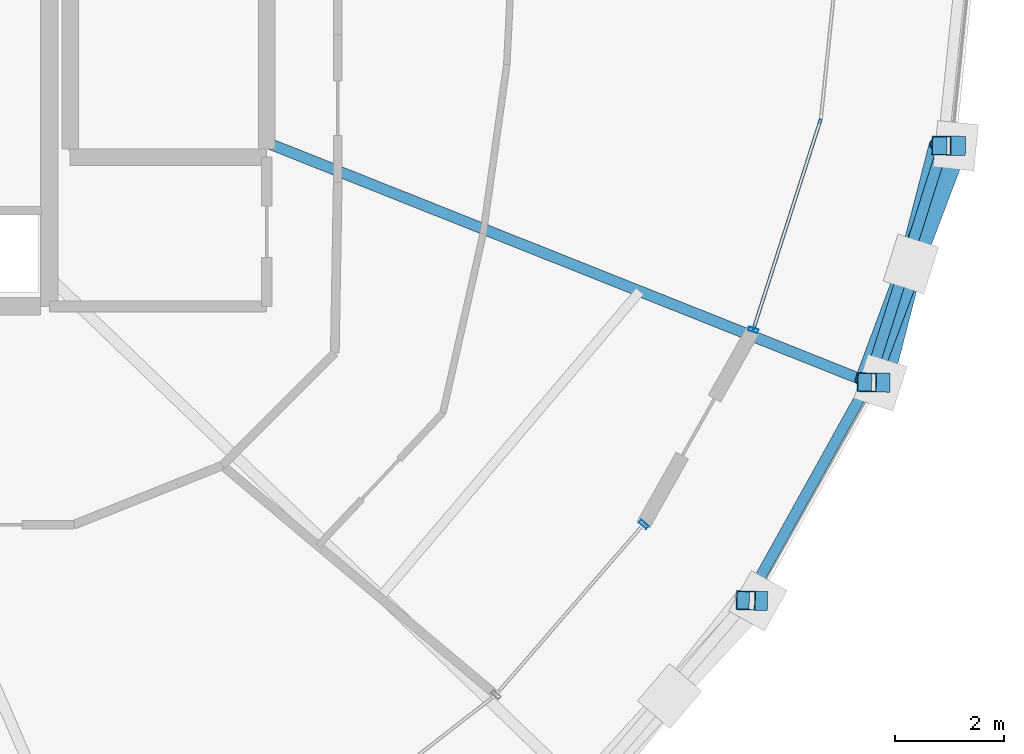
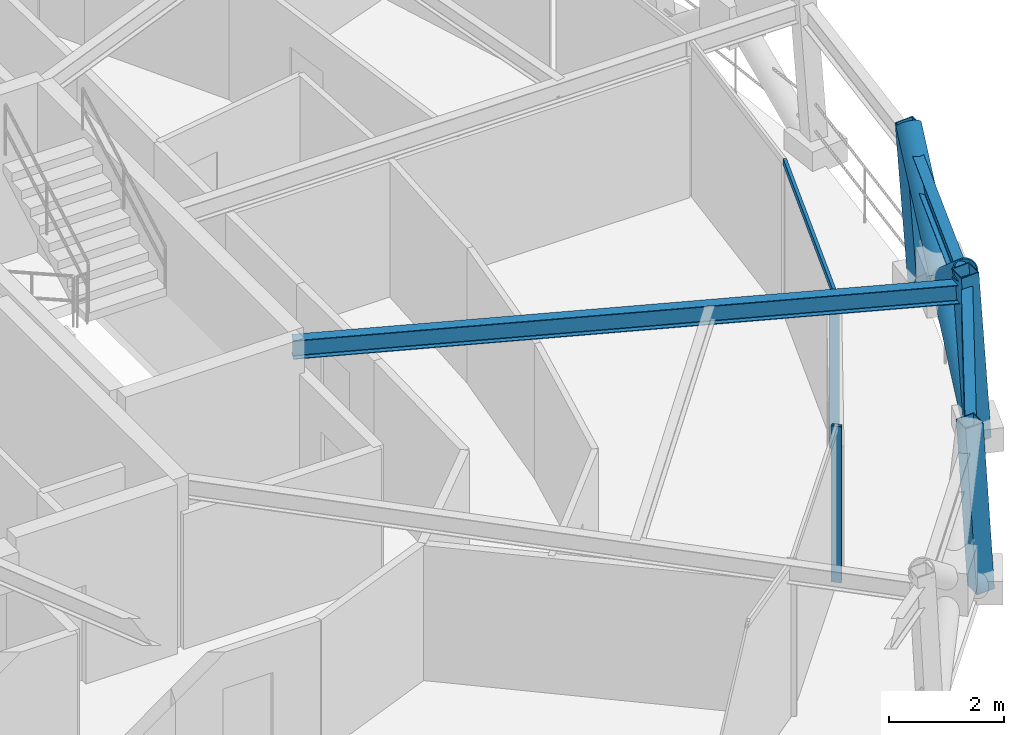
# One storey, part 6 of 18: 9 members, 3 beams, 2 elements without a shape of their own.
"""IFC4 building model written with IfcOpenShell, lengths in metres."""

from ifc_helpers import new_model, si_unit, direction, frame, origin, origin_2d, place, context, subcontext, project, spatial, hollow_rectangle, hollow_circle, i_section, extrude, material, layer, layer_set, material_profile, profile_set, type_object, element, aggregate, save


model = new_model("IFC4")

# Units and contexts
model_context = context("Model", 3, precision=1e-05, world=origin(), true_north=direction((0.0, 1.0)))
body_context = subcontext(model_context, "Body", "Model", "MODEL_VIEW")
ifc_project = project(units=[si_unit("LENGTHUNIT", "METRE"), si_unit("AREAUNIT", "SQUARE_METRE"), si_unit("VOLUMEUNIT", "CUBIC_METRE"), si_unit("PLANEANGLEUNIT", "RADIAN"), si_unit("MASSUNIT", "GRAM", prefix="KILO")], contexts=[model_context])

# Site, building, storey
site_placement = place(None, origin())
site = spatial("IfcSite", under=ifc_project, at=site_placement, CompositionType="ELEMENT")
building_placement = place(site_placement, origin())
building = spatial("IfcBuilding", under=site, at=building_placement, Name="Veldorina Hangang Commons", CompositionType="ELEMENT")
storey_placement = place(building_placement, frame((0.0, 0.0, 232.800048828125)))
storey = spatial("IfcBuildingStorey", under=building, at=storey_placement, Name="L60", CompositionType="ELEMENT", Elevation=232.800048828125)

# Beams
ifc_material_1 = material(Name="Steel SM355-TMC", Category="steel")
ifc_material_profile_1 = material_profile(ifc_material_1, i_section(OverallWidth=0.199951171875, OverallDepth=0.39990234375, WebThickness=0.008056640625, FlangeThickness=0.012939453125, FilletRadius=0.012939453125, at=origin_2d()), Name="H-400x200x8x13")
ifc_profile_set_1 = profile_set([ifc_material_profile_1], Name="Steel SM355-TMC")
beam_type_1 = type_object("IfcBeamType", Name="BM-FG400", PredefinedType="BEAM", material=ifc_profile_set_1)
beam_1_placement = place(storey_placement, frame((43.179931640625, 19.547119140625, 3.159912109375), z_axis=(0.929017827565, -0.370034966005, 0.0), x_axis=(0.370034966005, 0.929017827565, 0.0)))
element("IfcBeam", 1, at=beam_1_placement, inside=storey, type_object=beam_type_1, Name="L60 radial floor girder 16", PredefinedType="BEAM", context=body_context, shape_type="SweptSolid", body=[
    extrude(i_section(OverallWidth=0.199951171875, OverallDepth=0.39990234375, WebThickness=0.008056640625, FlangeThickness=0.012939453125, FilletRadius=0.012939453125, at=origin_2d()), origin(), (0.0, 0.0, 1.0), 11.864013671875),
])
ifc_material_profile_2 = material_profile(ifc_material_1, i_section(OverallWidth=0.199951171875, OverallDepth=0.449951171875, WebThickness=0.009033203125, FlangeThickness=0.013916015625, FilletRadius=0.01611328125, at=origin_2d()), Name="H-450x200x9x14")
ifc_profile_set_2 = profile_set([ifc_material_profile_2], Name="Steel SM355-TMC")
beam_type_2 = type_object("IfcBeamType", Name="BM-RB450", PredefinedType="BEAM", material=ifc_profile_set_2)
beam_2_placement = place(storey_placement, frame((51.981201171875, 11.162109375, 3.135009765625), z_axis=(0.485865143096, 0.874033788091, 0.0), x_axis=(-0.874033788091, 0.485865143096, 0.0)))
element("IfcBeam", 2, at=beam_2_placement, inside=storey, type_object=beam_type_2, Name="L60 perimeter hoop ring beam 29", PredefinedType="BEAM", context=body_context, shape_type="SweptSolid", body=[
    extrude(i_section(OverallWidth=0.199951171875, OverallDepth=0.449951171875, WebThickness=0.009033203125, FlangeThickness=0.013916015625, FilletRadius=0.01611328125, at=origin_2d()), origin(), (0.0, 0.0, 1.0), 4.570556640625),
])
beam_3_placement = place(storey_placement, frame((54.201904296875, 15.156982421875, 3.135009765625), z_axis=(0.300830603125, 0.95367759134, 0.0), x_axis=(-0.95367759134, 0.300830603125, 0.0)))
element("IfcBeam", 3, at=beam_3_placement, inside=storey, type_object=beam_type_2, Name="L60 perimeter hoop ring beam 30", PredefinedType="BEAM", context=body_context, shape_type="SweptSolid", body=[
    extrude(i_section(OverallWidth=0.199951171875, OverallDepth=0.449951171875, WebThickness=0.009033203125, FlangeThickness=0.013916015625, FilletRadius=0.01611328125, at=origin_2d()), origin(), (0.0, 0.0, 1.0), 4.54541015625),
])

# Curtain wall, member
ifc_material_2 = material(Name="Glass Low-E Selective", Category="glass")
ifc_layer = layer(ifc_material_2, 0.179931640625)
ifc_layer_set = layer_set([ifc_layer], Name="Glass Low-E Selective")
curtain_wall_type = type_object("IfcCurtainWallType", Name="CW-SYS-Z3", PredefinedType="NOTDEFINED", material=ifc_layer_set)
curtain_wall_1_placement = place(storey_placement, origin())
curtain_wall_1 = element("IfcCurtainWall", 4, at=curtain_wall_1_placement, inside=storey, type_object=curtain_wall_type, Name="L60 unitised curtain wall CW-L60-R1", PredefinedType="NOTDEFINED")
ifc_material_3 = material(Name="Aluminium Anodized AA6063-T6", Category="aluminium")
ifc_material_profile_3 = material_profile(ifc_material_3, hollow_rectangle(XDim=0.070068359375, YDim=0.179931640625, WallThickness=0.00390625, at=origin_2d()), Name="ALU-RHS-180x70x4")
ifc_profile_set_3 = profile_set([ifc_material_profile_3], Name="Aluminium Anodized AA6063-T6")
member_type_1 = type_object("IfcMemberType", Name="CW-MUL-180", PredefinedType="MULLION", material=ifc_profile_set_3)
member_1_placement = place(storey_placement, frame((50.0810546875, 12.556396484375, 0.0), z_axis=(0.0, 0.0, 1.0), x_axis=(-0.654819962917, -0.755784900726, 0.0)))
member_1 = element("IfcMember", 5, at=member_1_placement, type_object=member_type_1, Name="CW-L60-R1 vertical mullion 4", PredefinedType="MULLION", context=body_context, shape_type="SweptSolid", body=[
    extrude(hollow_rectangle(XDim=0.070068359375, YDim=0.179931640625, WallThickness=0.00390625, at=origin_2d()), origin(), (0.0, 0.0, 1.0), 3.320068359375),
])
aggregate(curtain_wall_1, [member_1])

# Curtain wall, members
curtain_wall_2_placement = place(storey_placement, origin())
curtain_wall_2 = element("IfcCurtainWall", 6, at=curtain_wall_2_placement, inside=storey, type_object=curtain_wall_type, Name="L60 unitised curtain wall CW-L60-R2", PredefinedType="NOTDEFINED")
member_2_placement = place(storey_placement, frame((52.090576171875, 16.117431640625, 0.0), z_axis=(0.0, 0.0, 1.0), x_axis=(0.304997275596, 0.952353223273, 0.0)))
member_2 = element("IfcMember", 7, at=member_2_placement, type_object=member_type_1, Name="CW-L60-R2 vertical mullion 1", PredefinedType="MULLION", context=body_context, shape_type="SweptSolid", body=[
    extrude(hollow_rectangle(XDim=0.070068359375, YDim=0.179931640625, WallThickness=0.00390625, at=origin_2d()), origin(), (0.0, 0.0, 1.0), 3.320068359375),
])
ifc_material_profile_4 = material_profile(ifc_material_3, hollow_rectangle(XDim=0.06005859375, YDim=0.139892578125, WallThickness=0.00341796875, at=origin_2d()), Name="ALU-RHS-140x60x3.5")
ifc_profile_set_4 = profile_set([ifc_material_profile_4], Name="Aluminium Anodized AA6063-T6")
member_type_2 = type_object("IfcMemberType", Name="CW-TRN-140", PredefinedType="USERDEFINED", material=ifc_profile_set_4)
member_3_placement = place(storey_placement, frame((52.090576171875, 16.117431640625, 3.280029296875), z_axis=(0.305013699715, 0.952347963187, 0.0), x_axis=(-0.952347963187, 0.305013699715, 0.0)))
member_3 = element("IfcMember", 8, at=member_3_placement, type_object=member_type_2, Name="CW-L60-R2 facet 1 transom 1", ObjectType="TRANSOM", PredefinedType="USERDEFINED", context=body_context, shape_type="SweptSolid", body=[
    extrude(hollow_rectangle(XDim=0.06005859375, YDim=0.139892578125, WallThickness=0.00341796875, at=origin_2d()), origin(), (0.0, 0.0, 1.0), 4.057373046875),
])
aggregate(curtain_wall_2, [member_2, member_3])

# Members
ifc_material_profile_5 = material_profile(ifc_material_1, hollow_circle(Radius=0.22509765625, WallThickness=0.02197265625, at=origin_2d()), Name="CHS-450x22")
ifc_profile_set_5 = profile_set([ifc_material_profile_5], Name="Steel SM355-TMC")
member_type_3 = type_object("IfcMemberType", Name="DG-CHS450", PredefinedType="BRACE", material=ifc_profile_set_5)
member_4_placement = place(storey_placement, frame((54.418701171875, 15.153076171875, 0.0), z_axis=(0.194251885862, 0.754961462373, 0.626338083762), x_axis=(-0.968456122295, 0.249184147148, 0.0)))
element("IfcMember", 9, at=member_4_placement, inside=storey, type_object=member_type_3, Name="L60 continuous perimeter diagrid brace 30", PredefinedType="BRACE", context=body_context, shape_type="SweptSolid", body=[
    extrude(hollow_circle(Radius=0.22509765625, WallThickness=0.02197265625, at=origin_2d()), origin(), (0.0, 0.0, 1.0), 5.74755859375),
])
member_5_placement = place(storey_placement, frame((55.799560546875, 19.489990234375, 0.0), z_axis=(-0.280206892591, -0.738038997675, 0.613826144161), x_axis=(0.934887822206, -0.354943319264, 0.0)))
element("IfcMember", 10, at=member_5_placement, inside=storey, type_object=member_type_3, Name="L60 split perimeter diagrid lower brace 31", PredefinedType="BRACE", context=body_context, shape_type="SweptSolid", body=[
    extrude(hollow_circle(Radius=0.22509765625, WallThickness=0.02197265625, at=origin_2d()), origin(), (0.0, 0.0, 1.0), 2.9345703125),
])
member_6_placement = place(storey_placement, frame((54.977294921875, 17.32421875, 1.80126953125), z_axis=(-0.275701678216, -0.739593921551, 0.613994638277), x_axis=(0.937013009709, -0.349294459783, 0.0)))
element("IfcMember", 11, at=member_6_placement, inside=storey, type_object=member_type_3, Name="L60 split perimeter diagrid upper brace 31", PredefinedType="BRACE", context=body_context, shape_type="SweptSolid", body=[
    extrude(hollow_circle(Radius=0.22509765625, WallThickness=0.02197265625, at=origin_2d()), origin(), (0.0, 0.0, 1.0), 2.92919921875),
])
ifc_material_profile_6 = material_profile(ifc_material_1, hollow_rectangle(XDim=0.35009765625, YDim=0.35009765625, WallThickness=0.01611328125, at=origin_2d()), Name="SHS-350x350x16")
ifc_profile_set_6 = profile_set([ifc_material_profile_6], Name="Steel SM355-TMC")
member_type_4 = type_object("IfcMemberType", Name="STR-SHS350", PredefinedType="STRUT", material=ifc_profile_set_6)
member_7_placement = place(storey_placement, frame((52.176513671875, 11.15625, 0.0), z_axis=(-0.062205405082, 0.00182757991, 0.998061695252), x_axis=(-0.029367088943, -0.999568694031, 0.0)))
element("IfcMember", 12, at=member_7_placement, inside=storey, type_object=member_type_4, Name="L60 perimeter ring node post 29", PredefinedType="STRUT", context=body_context, shape_type="SweptSolid", body=[
    extrude(hollow_rectangle(XDim=0.35009765625, YDim=0.35009765625, WallThickness=0.01611328125, at=origin_2d()), origin(), (0.0, 0.0, 1.0), 3.60693359375),
])
member_8_placement = place(storey_placement, frame((54.418701171875, 15.153076171875, 0.0), z_axis=(-0.069011011957, 0.001285499242, 0.997615069914), x_axis=(-0.018624220127, -0.999826554171, 0.0)))
element("IfcMember", 13, at=member_8_placement, inside=storey, type_object=member_type_4, Name="L60 perimeter ring node post 30", PredefinedType="STRUT", context=body_context, shape_type="SweptSolid", body=[
    extrude(hollow_rectangle(XDim=0.35009765625, YDim=0.35009765625, WallThickness=0.01611328125, at=origin_2d()), origin(), (0.0, 0.0, 1.0), 3.6083984375),
])
member_9_placement = place(storey_placement, frame((55.799560546875, 19.489990234375, 0.0), z_axis=(-0.073251294399, 0.000608736519, 0.997313329555), x_axis=(-0.008309962368, -0.999965471667, 0.0)))
element("IfcMember", 14, at=member_9_placement, inside=storey, type_object=member_type_4, Name="L60 perimeter ring node post 31", PredefinedType="STRUT", context=body_context, shape_type="SweptSolid", body=[
    extrude(hollow_rectangle(XDim=0.35009765625, YDim=0.35009765625, WallThickness=0.01611328125, at=origin_2d()), origin(), (0.0, 0.0, 1.0), 3.609619140625),
])

save(model, "model.ifc")
